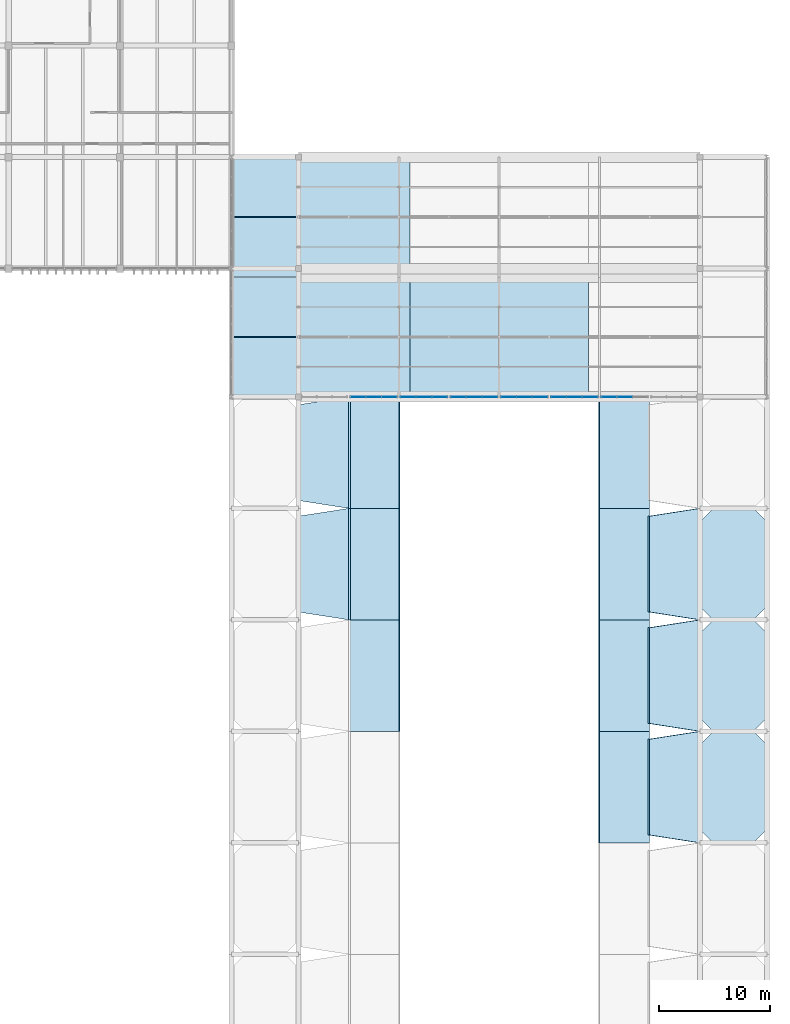
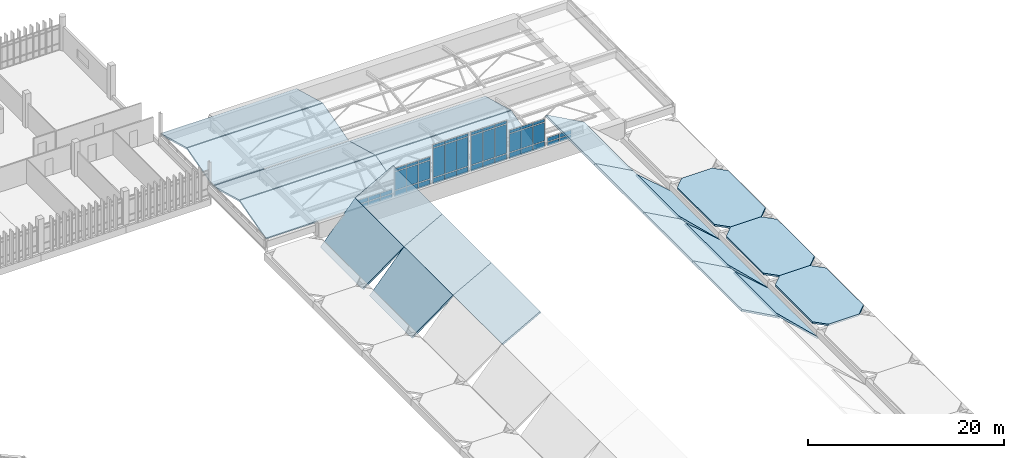
# One storey, part 72 of 82: 46 plates, 21 slabs, 6 elements without a shape of their own.
"""IFC4 building model written with IfcOpenShell, lengths in metres."""

from ifc_helpers import new_model, si_unit, direction, frame, origin, origin_2d, place, context, subcontext, project, spatial, polyline, rectangle, outline, extrude, material, layer, layer_set, type_object, element, aggregate, save


model = new_model("IFC4")

# Units and contexts
model_context = context("Model", 3, precision=1e-05, world=origin(), true_north=direction((0.0, 1.0)))
body_context = subcontext(model_context, "Body", "Model", "MODEL_VIEW")
ifc_project = project(units=[si_unit("LENGTHUNIT", "METRE"), si_unit("AREAUNIT", "SQUARE_METRE"), si_unit("VOLUMEUNIT", "CUBIC_METRE"), si_unit("PLANEANGLEUNIT", "RADIAN"), si_unit("MASSUNIT", "GRAM", prefix="KILO")], contexts=[model_context])

# Site, building, storey
site_placement = place(None, origin())
site = spatial("IfcSite", under=ifc_project, at=site_placement, CompositionType="ELEMENT")
building_placement = place(site_placement, origin())
building = spatial("IfcBuilding", under=site, at=building_placement, Name="Mersad Railyard Sports Hall", CompositionType="ELEMENT")
storey_placement = place(building_placement, frame((0.0, 0.0, 13.199951171875)))
storey = spatial("IfcBuildingStorey", under=building, at=storey_placement, Name="L03", CompositionType="ELEMENT", Elevation=13.199951171875)

# Curtain wall, plates
ifc_material_1 = material(Name="Aluminium 6063-T6", Category="aluminium")
ifc_layer_1 = layer(ifc_material_1, 0.199951171875)
ifc_layer_set_1 = layer_set([ifc_layer_1], Name="Aluminium 6063-T6")
curtain_wall_type_1 = type_object("IfcCurtainWallType", Name="ARC-CW-CW43", PredefinedType="USERDEFINED", material=ifc_layer_set_1)
curtain_wall_1_placement = place(storey_placement, origin())
curtain_wall_1 = element("IfcCurtainWall", 1, at=curtain_wall_1_placement, inside=storey, type_object=curtain_wall_type_1, Name="Curtain wall CW43-0115", ObjectType="CURTAIN WALL", PredefinedType="USERDEFINED")
ifc_material_2 = material(Name="Solar-control glass", Category="glass")
ifc_layer_2 = layer(ifc_material_2, 0.028076171875)
ifc_layer_set_2 = layer_set([ifc_layer_2], Name="Solar-control glass")
plate_type = type_object("IfcPlateType", Name="ARC-CW-PNL01", PredefinedType="CURTAIN_PANEL", material=ifc_layer_set_2)
plate_1_placement = place(storey_placement, frame((142.35009765625, 73.5, 1.43505859375), z_axis=(0.0, 0.0, 1.0), x_axis=(1.0, 0.0, 0.0)))
plate_1 = element("IfcPlate", 2, at=plate_1_placement, type_object=plate_type, Name="CW43 Glazed panel 1-1", PredefinedType="CURTAIN_PANEL", context=body_context, shape_type="SweptSolid", body=[
    extrude(rectangle(XDim=1.35595703125, YDim=0.028076171875, at=origin_2d()), origin(), (0.0, 0.0, 1.0), 0.47607421875),
])
plate_2_placement = place(storey_placement, frame((142.35009765625, 73.5, 2.0009765625), z_axis=(0.0, 0.0, 1.0), x_axis=(1.0, 0.0, 0.0)))
plate_2 = element("IfcPlate", 3, at=plate_2_placement, type_object=plate_type, Name="CW43 Glazed panel 1-2", PredefinedType="CURTAIN_PANEL", context=body_context, shape_type="SweptSolid", body=[
    extrude(rectangle(XDim=1.35595703125, YDim=0.028076171875, at=origin_2d()), origin(), (0.0, 0.0, 1.0), 0.47607421875),
])
plate_3_placement = place(storey_placement, frame((143.75, 73.5, 1.43505859375), z_axis=(0.0, 0.0, 1.0), x_axis=(1.0, 0.0, 0.0)))
plate_3 = element("IfcPlate", 4, at=plate_3_placement, type_object=plate_type, Name="CW43 Glazed panel 2-1", PredefinedType="CURTAIN_PANEL", context=body_context, shape_type="SweptSolid", body=[
    extrude(rectangle(XDim=1.35595703125, YDim=0.028076171875, at=origin_2d()), origin(), (0.0, 0.0, 1.0), 0.47607421875),
])
plate_4_placement = place(storey_placement, frame((143.75, 73.5, 2.0009765625), z_axis=(0.0, 0.0, 1.0), x_axis=(1.0, 0.0, 0.0)))
plate_4 = element("IfcPlate", 5, at=plate_4_placement, type_object=plate_type, Name="CW43 Glazed panel 2-2", PredefinedType="CURTAIN_PANEL", context=body_context, shape_type="SweptSolid", body=[
    extrude(rectangle(XDim=1.35595703125, YDim=0.028076171875, at=origin_2d()), origin(), (0.0, 0.0, 1.0), 0.47607421875),
])
plate_5_placement = place(storey_placement, frame((145.14990234375, 73.5, 1.43505859375), z_axis=(0.0, 0.0, 1.0), x_axis=(1.0, 0.0, 0.0)))
plate_5 = element("IfcPlate", 6, at=plate_5_placement, type_object=plate_type, Name="CW43 Glazed panel 3-1", PredefinedType="CURTAIN_PANEL", context=body_context, shape_type="SweptSolid", body=[
    extrude(rectangle(XDim=1.35595703125, YDim=0.028076171875, at=origin_2d()), origin(), (0.0, 0.0, 1.0), 0.47607421875),
])
plate_6_placement = place(storey_placement, frame((145.14990234375, 73.5, 2.0009765625), z_axis=(0.0, 0.0, 1.0), x_axis=(1.0, 0.0, 0.0)))
plate_6 = element("IfcPlate", 7, at=plate_6_placement, type_object=plate_type, Name="CW43 Glazed panel 3-2", PredefinedType="CURTAIN_PANEL", context=body_context, shape_type="SweptSolid", body=[
    extrude(rectangle(XDim=1.35595703125, YDim=0.028076171875, at=origin_2d()), origin(), (0.0, 0.0, 1.0), 0.47607421875),
])
aggregate(curtain_wall_1, [plate_1, plate_2, plate_3, plate_4, plate_5, plate_6])

ifc_layer_3 = layer(ifc_material_1, 0.199951171875)
ifc_layer_set_3 = layer_set([ifc_layer_3], Name="Aluminium 6063-T6")
curtain_wall_type_2 = type_object("IfcCurtainWallType", Name="ARC-CW-CW45", PredefinedType="USERDEFINED", material=ifc_layer_set_3)
curtain_wall_2_placement = place(storey_placement, origin())
curtain_wall_2 = element("IfcCurtainWall", 8, at=curtain_wall_2_placement, inside=storey, type_object=curtain_wall_type_2, Name="Curtain wall CW45-0117", ObjectType="CURTAIN WALL", PredefinedType="USERDEFINED")
plate_7_placement = place(storey_placement, frame((146.85009765625, 73.5, 1.43505859375), z_axis=(0.0, 0.0, 1.0), x_axis=(1.0, 0.0, 0.0)))
plate_7 = element("IfcPlate", 9, at=plate_7_placement, type_object=plate_type, Name="CW45 Glazed panel 1-1", PredefinedType="CURTAIN_PANEL", context=body_context, shape_type="SweptSolid", body=[
    extrude(rectangle(XDim=1.35595703125, YDim=0.028076171875, at=origin_2d()), origin(), (0.0, 0.0, 1.0), 0.719970703125),
])
plate_8_placement = place(storey_placement, frame((146.85009765625, 73.5, 2.2451171875), z_axis=(0.0, 0.0, 1.0), x_axis=(1.0, 0.0, 0.0)))
plate_8 = element("IfcPlate", 10, at=plate_8_placement, type_object=plate_type, Name="CW45 Glazed panel 1-2", PredefinedType="CURTAIN_PANEL", context=body_context, shape_type="SweptSolid", body=[
    extrude(rectangle(XDim=1.35595703125, YDim=0.028076171875, at=origin_2d()), origin(), (0.0, 0.0, 1.0), 2.26708984375),
])
plate_9_placement = place(storey_placement, frame((146.85009765625, 73.5, 4.60205078125), z_axis=(0.0, 0.0, 1.0), x_axis=(1.0, 0.0, 0.0)))
plate_9 = element("IfcPlate", 11, at=plate_9_placement, type_object=plate_type, Name="CW45 Glazed panel 1-3", PredefinedType="CURTAIN_PANEL", context=body_context, shape_type="SweptSolid", body=[
    extrude(rectangle(XDim=1.35595703125, YDim=0.028076171875, at=origin_2d()), origin(), (0.0, 0.0, 1.0), 0.35009765625),
])
plate_10_placement = place(storey_placement, frame((148.25, 73.5, 1.43505859375), z_axis=(0.0, 0.0, 1.0), x_axis=(1.0, 0.0, 0.0)))
plate_10 = element("IfcPlate", 12, at=plate_10_placement, type_object=plate_type, Name="CW45 Glazed panel 2-1", PredefinedType="CURTAIN_PANEL", context=body_context, shape_type="SweptSolid", body=[
    extrude(rectangle(XDim=1.35595703125, YDim=0.028076171875, at=origin_2d()), origin(), (0.0, 0.0, 1.0), 0.719970703125),
])
plate_11_placement = place(storey_placement, frame((148.25, 73.5, 2.2451171875), z_axis=(0.0, 0.0, 1.0), x_axis=(1.0, 0.0, 0.0)))
plate_11 = element("IfcPlate", 13, at=plate_11_placement, type_object=plate_type, Name="CW45 Glazed panel 2-2", PredefinedType="CURTAIN_PANEL", context=body_context, shape_type="SweptSolid", body=[
    extrude(rectangle(XDim=1.35595703125, YDim=0.028076171875, at=origin_2d()), origin(), (0.0, 0.0, 1.0), 2.26708984375),
])
plate_12_placement = place(storey_placement, frame((148.25, 73.5, 4.60205078125), z_axis=(0.0, 0.0, 1.0), x_axis=(1.0, 0.0, 0.0)))
plate_12 = element("IfcPlate", 14, at=plate_12_placement, type_object=plate_type, Name="CW45 Glazed panel 2-3", PredefinedType="CURTAIN_PANEL", context=body_context, shape_type="SweptSolid", body=[
    extrude(rectangle(XDim=1.35595703125, YDim=0.028076171875, at=origin_2d()), origin(), (0.0, 0.0, 1.0), 0.35009765625),
])
plate_13_placement = place(storey_placement, frame((149.64990234375, 73.5, 1.43505859375), z_axis=(0.0, 0.0, 1.0), x_axis=(1.0, 0.0, 0.0)))
plate_13 = element("IfcPlate", 15, at=plate_13_placement, type_object=plate_type, Name="CW45 Glazed panel 3-1", PredefinedType="CURTAIN_PANEL", context=body_context, shape_type="SweptSolid", body=[
    extrude(rectangle(XDim=1.35595703125, YDim=0.028076171875, at=origin_2d()), origin(), (0.0, 0.0, 1.0), 0.719970703125),
])
plate_14_placement = place(storey_placement, frame((149.64990234375, 73.5, 2.2451171875), z_axis=(0.0, 0.0, 1.0), x_axis=(1.0, 0.0, 0.0)))
plate_14 = element("IfcPlate", 16, at=plate_14_placement, type_object=plate_type, Name="CW45 Glazed panel 3-2", PredefinedType="CURTAIN_PANEL", context=body_context, shape_type="SweptSolid", body=[
    extrude(rectangle(XDim=1.35595703125, YDim=0.028076171875, at=origin_2d()), origin(), (0.0, 0.0, 1.0), 2.26708984375),
])
plate_15_placement = place(storey_placement, frame((149.64990234375, 73.5, 4.60205078125), z_axis=(0.0, 0.0, 1.0), x_axis=(1.0, 0.0, 0.0)))
plate_15 = element("IfcPlate", 17, at=plate_15_placement, type_object=plate_type, Name="CW45 Glazed panel 3-3", PredefinedType="CURTAIN_PANEL", context=body_context, shape_type="SweptSolid", body=[
    extrude(rectangle(XDim=1.35595703125, YDim=0.028076171875, at=origin_2d()), origin(), (0.0, 0.0, 1.0), 0.35009765625),
])
aggregate(curtain_wall_2, [plate_7, plate_8, plate_9, plate_10, plate_11, plate_12, plate_13, plate_14, plate_15])

ifc_layer_4 = layer(ifc_material_1, 0.199951171875)
ifc_layer_set_4 = layer_set([ifc_layer_4], Name="Aluminium 6063-T6")
curtain_wall_type_3 = type_object("IfcCurtainWallType", Name="ARC-CW-CW47", PredefinedType="USERDEFINED", material=ifc_layer_set_4)
curtain_wall_3_placement = place(storey_placement, origin())
curtain_wall_3 = element("IfcCurtainWall", 18, at=curtain_wall_3_placement, inside=storey, type_object=curtain_wall_type_3, Name="Curtain wall CW47-0119", ObjectType="CURTAIN WALL", PredefinedType="USERDEFINED")
plate_16_placement = place(storey_placement, frame((151.35009765625, 73.5, 1.43505859375), z_axis=(0.0, 0.0, 1.0), x_axis=(1.0, 0.0, 0.0)))
plate_16 = element("IfcPlate", 19, at=plate_16_placement, type_object=plate_type, Name="CW47 Glazed panel 1-1", PredefinedType="CURTAIN_PANEL", context=body_context, shape_type="SweptSolid", body=[
    extrude(rectangle(XDim=1.35595703125, YDim=0.028076171875, at=origin_2d()), origin(), (0.0, 0.0, 1.0), 0.719970703125),
])
plate_17_placement = place(storey_placement, frame((151.35009765625, 73.5, 2.2451171875), z_axis=(0.0, 0.0, 1.0), x_axis=(1.0, 0.0, 0.0)))
plate_17 = element("IfcPlate", 20, at=plate_17_placement, type_object=plate_type, Name="CW47 Glazed panel 1-2", PredefinedType="CURTAIN_PANEL", context=body_context, shape_type="SweptSolid", body=[
    extrude(rectangle(XDim=1.35595703125, YDim=0.028076171875, at=origin_2d()), origin(), (0.0, 0.0, 1.0), 3.625),
])
plate_18_placement = place(storey_placement, frame((151.35009765625, 73.5, 5.9599609375), z_axis=(0.0, 0.0, 1.0), x_axis=(1.0, 0.0, 0.0)))
plate_18 = element("IfcPlate", 21, at=plate_18_placement, type_object=plate_type, Name="CW47 Glazed panel 1-3", PredefinedType="CURTAIN_PANEL", context=body_context, shape_type="SweptSolid", body=[
    extrude(rectangle(XDim=1.35595703125, YDim=0.028076171875, at=origin_2d()), origin(), (0.0, 0.0, 1.0), 0.35009765625),
])
plate_19_placement = place(storey_placement, frame((152.75, 73.5, 1.43505859375), z_axis=(0.0, 0.0, 1.0), x_axis=(1.0, 0.0, 0.0)))
plate_19 = element("IfcPlate", 22, at=plate_19_placement, type_object=plate_type, Name="CW47 Glazed panel 2-1", PredefinedType="CURTAIN_PANEL", context=body_context, shape_type="SweptSolid", body=[
    extrude(rectangle(XDim=1.35595703125, YDim=0.028076171875, at=origin_2d()), origin(), (0.0, 0.0, 1.0), 0.719970703125),
])
plate_20_placement = place(storey_placement, frame((152.75, 73.5, 2.2451171875), z_axis=(0.0, 0.0, 1.0), x_axis=(1.0, 0.0, 0.0)))
plate_20 = element("IfcPlate", 23, at=plate_20_placement, type_object=plate_type, Name="CW47 Glazed panel 2-2", PredefinedType="CURTAIN_PANEL", context=body_context, shape_type="SweptSolid", body=[
    extrude(rectangle(XDim=1.35595703125, YDim=0.028076171875, at=origin_2d()), origin(), (0.0, 0.0, 1.0), 3.625),
])
plate_21_placement = place(storey_placement, frame((152.75, 73.5, 5.9599609375), z_axis=(0.0, 0.0, 1.0), x_axis=(1.0, 0.0, 0.0)))
plate_21 = element("IfcPlate", 24, at=plate_21_placement, type_object=plate_type, Name="CW47 Glazed panel 2-3", PredefinedType="CURTAIN_PANEL", context=body_context, shape_type="SweptSolid", body=[
    extrude(rectangle(XDim=1.35595703125, YDim=0.028076171875, at=origin_2d()), origin(), (0.0, 0.0, 1.0), 0.35009765625),
])
plate_22_placement = place(storey_placement, frame((154.14990234375, 73.5, 1.43505859375), z_axis=(0.0, 0.0, 1.0), x_axis=(1.0, 0.0, 0.0)))
plate_22 = element("IfcPlate", 25, at=plate_22_placement, type_object=plate_type, Name="CW47 Glazed panel 3-1", PredefinedType="CURTAIN_PANEL", context=body_context, shape_type="SweptSolid", body=[
    extrude(rectangle(XDim=1.35595703125, YDim=0.028076171875, at=origin_2d()), origin(), (0.0, 0.0, 1.0), 0.719970703125),
])
plate_23_placement = place(storey_placement, frame((154.14990234375, 73.5, 2.2451171875), z_axis=(0.0, 0.0, 1.0), x_axis=(1.0, 0.0, 0.0)))
plate_23 = element("IfcPlate", 26, at=plate_23_placement, type_object=plate_type, Name="CW47 Glazed panel 3-2", PredefinedType="CURTAIN_PANEL", context=body_context, shape_type="SweptSolid", body=[
    extrude(rectangle(XDim=1.35595703125, YDim=0.028076171875, at=origin_2d()), origin(), (0.0, 0.0, 1.0), 3.625),
])
plate_24_placement = place(storey_placement, frame((154.14990234375, 73.5, 5.9599609375), z_axis=(0.0, 0.0, 1.0), x_axis=(1.0, 0.0, 0.0)))
plate_24 = element("IfcPlate", 27, at=plate_24_placement, type_object=plate_type, Name="CW47 Glazed panel 3-3", PredefinedType="CURTAIN_PANEL", context=body_context, shape_type="SweptSolid", body=[
    extrude(rectangle(XDim=1.35595703125, YDim=0.028076171875, at=origin_2d()), origin(), (0.0, 0.0, 1.0), 0.35009765625),
])
aggregate(curtain_wall_3, [plate_16, plate_17, plate_18, plate_19, plate_20, plate_21, plate_22, plate_23, plate_24])

curtain_wall_4_placement = place(storey_placement, origin())
curtain_wall_4 = element("IfcCurtainWall", 28, at=curtain_wall_4_placement, inside=storey, type_object=curtain_wall_type_3, Name="Curtain wall CW47-0121", ObjectType="CURTAIN WALL", PredefinedType="USERDEFINED")
plate_25_placement = place(storey_placement, frame((155.85009765625, 73.5, 1.43505859375), z_axis=(0.0, 0.0, 1.0), x_axis=(1.0, 0.0, 0.0)))
plate_25 = element("IfcPlate", 29, at=plate_25_placement, type_object=plate_type, Name="CW47 Glazed panel 1-1", PredefinedType="CURTAIN_PANEL", context=body_context, shape_type="SweptSolid", body=[
    extrude(rectangle(XDim=1.35595703125, YDim=0.028076171875, at=origin_2d()), origin(), (0.0, 0.0, 1.0), 0.719970703125),
])
plate_26_placement = place(storey_placement, frame((155.85009765625, 73.5, 2.2451171875), z_axis=(0.0, 0.0, 1.0), x_axis=(1.0, 0.0, 0.0)))
plate_26 = element("IfcPlate", 30, at=plate_26_placement, type_object=plate_type, Name="CW47 Glazed panel 1-2", PredefinedType="CURTAIN_PANEL", context=body_context, shape_type="SweptSolid", body=[
    extrude(rectangle(XDim=1.35595703125, YDim=0.028076171875, at=origin_2d()), origin(), (0.0, 0.0, 1.0), 3.625),
])
plate_27_placement = place(storey_placement, frame((155.85009765625, 73.5, 5.9599609375), z_axis=(0.0, 0.0, 1.0), x_axis=(1.0, 0.0, 0.0)))
plate_27 = element("IfcPlate", 31, at=plate_27_placement, type_object=plate_type, Name="CW47 Glazed panel 1-3", PredefinedType="CURTAIN_PANEL", context=body_context, shape_type="SweptSolid", body=[
    extrude(rectangle(XDim=1.35595703125, YDim=0.028076171875, at=origin_2d()), origin(), (0.0, 0.0, 1.0), 0.35009765625),
])
plate_28_placement = place(storey_placement, frame((157.25, 73.5, 1.43505859375), z_axis=(0.0, 0.0, 1.0), x_axis=(1.0, 0.0, 0.0)))
plate_28 = element("IfcPlate", 32, at=plate_28_placement, type_object=plate_type, Name="CW47 Glazed panel 2-1", PredefinedType="CURTAIN_PANEL", context=body_context, shape_type="SweptSolid", body=[
    extrude(rectangle(XDim=1.35595703125, YDim=0.028076171875, at=origin_2d()), origin(), (0.0, 0.0, 1.0), 0.719970703125),
])
plate_29_placement = place(storey_placement, frame((157.25, 73.5, 2.2451171875), z_axis=(0.0, 0.0, 1.0), x_axis=(1.0, 0.0, 0.0)))
plate_29 = element("IfcPlate", 33, at=plate_29_placement, type_object=plate_type, Name="CW47 Glazed panel 2-2", PredefinedType="CURTAIN_PANEL", context=body_context, shape_type="SweptSolid", body=[
    extrude(rectangle(XDim=1.35595703125, YDim=0.028076171875, at=origin_2d()), origin(), (0.0, 0.0, 1.0), 3.625),
])
plate_30_placement = place(storey_placement, frame((157.25, 73.5, 5.9599609375), z_axis=(0.0, 0.0, 1.0), x_axis=(1.0, 0.0, 0.0)))
plate_30 = element("IfcPlate", 34, at=plate_30_placement, type_object=plate_type, Name="CW47 Glazed panel 2-3", PredefinedType="CURTAIN_PANEL", context=body_context, shape_type="SweptSolid", body=[
    extrude(rectangle(XDim=1.35595703125, YDim=0.028076171875, at=origin_2d()), origin(), (0.0, 0.0, 1.0), 0.35009765625),
])
plate_31_placement = place(storey_placement, frame((158.64990234375, 73.5, 1.43505859375), z_axis=(0.0, 0.0, 1.0), x_axis=(1.0, 0.0, 0.0)))
plate_31 = element("IfcPlate", 35, at=plate_31_placement, type_object=plate_type, Name="CW47 Glazed panel 3-1", PredefinedType="CURTAIN_PANEL", context=body_context, shape_type="SweptSolid", body=[
    extrude(rectangle(XDim=1.35595703125, YDim=0.028076171875, at=origin_2d()), origin(), (0.0, 0.0, 1.0), 0.719970703125),
])
plate_32_placement = place(storey_placement, frame((158.64990234375, 73.5, 2.2451171875), z_axis=(0.0, 0.0, 1.0), x_axis=(1.0, 0.0, 0.0)))
plate_32 = element("IfcPlate", 36, at=plate_32_placement, type_object=plate_type, Name="CW47 Glazed panel 3-2", PredefinedType="CURTAIN_PANEL", context=body_context, shape_type="SweptSolid", body=[
    extrude(rectangle(XDim=1.35595703125, YDim=0.028076171875, at=origin_2d()), origin(), (0.0, 0.0, 1.0), 3.625),
])
plate_33_placement = place(storey_placement, frame((158.64990234375, 73.5, 5.9599609375), z_axis=(0.0, 0.0, 1.0), x_axis=(1.0, 0.0, 0.0)))
plate_33 = element("IfcPlate", 37, at=plate_33_placement, type_object=plate_type, Name="CW47 Glazed panel 3-3", PredefinedType="CURTAIN_PANEL", context=body_context, shape_type="SweptSolid", body=[
    extrude(rectangle(XDim=1.35595703125, YDim=0.028076171875, at=origin_2d()), origin(), (0.0, 0.0, 1.0), 0.35009765625),
])
aggregate(curtain_wall_4, [plate_25, plate_26, plate_27, plate_28, plate_29, plate_30, plate_31, plate_32, plate_33])

curtain_wall_5_placement = place(storey_placement, origin())
curtain_wall_5 = element("IfcCurtainWall", 38, at=curtain_wall_5_placement, inside=storey, type_object=curtain_wall_type_2, Name="Curtain wall CW45-0123", ObjectType="CURTAIN WALL", PredefinedType="USERDEFINED")
plate_34_placement = place(storey_placement, frame((160.35009765625, 73.5, 1.43505859375), z_axis=(0.0, 0.0, 1.0), x_axis=(1.0, 0.0, 0.0)))
plate_34 = element("IfcPlate", 39, at=plate_34_placement, type_object=plate_type, Name="CW45 Glazed panel 1-1", PredefinedType="CURTAIN_PANEL", context=body_context, shape_type="SweptSolid", body=[
    extrude(rectangle(XDim=1.35595703125, YDim=0.028076171875, at=origin_2d()), origin(), (0.0, 0.0, 1.0), 0.719970703125),
])
plate_35_placement = place(storey_placement, frame((160.35009765625, 73.5, 2.2451171875), z_axis=(0.0, 0.0, 1.0), x_axis=(1.0, 0.0, 0.0)))
plate_35 = element("IfcPlate", 40, at=plate_35_placement, type_object=plate_type, Name="CW45 Glazed panel 1-2", PredefinedType="CURTAIN_PANEL", context=body_context, shape_type="SweptSolid", body=[
    extrude(rectangle(XDim=1.35595703125, YDim=0.028076171875, at=origin_2d()), origin(), (0.0, 0.0, 1.0), 2.26708984375),
])
plate_36_placement = place(storey_placement, frame((160.35009765625, 73.5, 4.60205078125), z_axis=(0.0, 0.0, 1.0), x_axis=(1.0, 0.0, 0.0)))
plate_36 = element("IfcPlate", 41, at=plate_36_placement, type_object=plate_type, Name="CW45 Glazed panel 1-3", PredefinedType="CURTAIN_PANEL", context=body_context, shape_type="SweptSolid", body=[
    extrude(rectangle(XDim=1.35595703125, YDim=0.028076171875, at=origin_2d()), origin(), (0.0, 0.0, 1.0), 0.35009765625),
])
plate_37_placement = place(storey_placement, frame((161.75, 73.5, 1.43505859375), z_axis=(0.0, 0.0, 1.0), x_axis=(1.0, 0.0, 0.0)))
plate_37 = element("IfcPlate", 42, at=plate_37_placement, type_object=plate_type, Name="CW45 Glazed panel 2-1", PredefinedType="CURTAIN_PANEL", context=body_context, shape_type="SweptSolid", body=[
    extrude(rectangle(XDim=1.35595703125, YDim=0.028076171875, at=origin_2d()), origin(), (0.0, 0.0, 1.0), 0.719970703125),
])
plate_38_placement = place(storey_placement, frame((161.75, 73.5, 2.2451171875), z_axis=(0.0, 0.0, 1.0), x_axis=(1.0, 0.0, 0.0)))
plate_38 = element("IfcPlate", 43, at=plate_38_placement, type_object=plate_type, Name="CW45 Glazed panel 2-2", PredefinedType="CURTAIN_PANEL", context=body_context, shape_type="SweptSolid", body=[
    extrude(rectangle(XDim=1.35595703125, YDim=0.028076171875, at=origin_2d()), origin(), (0.0, 0.0, 1.0), 2.26708984375),
])
plate_39_placement = place(storey_placement, frame((161.75, 73.5, 4.60205078125), z_axis=(0.0, 0.0, 1.0), x_axis=(1.0, 0.0, 0.0)))
plate_39 = element("IfcPlate", 44, at=plate_39_placement, type_object=plate_type, Name="CW45 Glazed panel 2-3", PredefinedType="CURTAIN_PANEL", context=body_context, shape_type="SweptSolid", body=[
    extrude(rectangle(XDim=1.35595703125, YDim=0.028076171875, at=origin_2d()), origin(), (0.0, 0.0, 1.0), 0.35009765625),
])
plate_40_placement = place(storey_placement, frame((163.14990234375, 73.5, 1.43505859375), z_axis=(0.0, 0.0, 1.0), x_axis=(1.0, 0.0, 0.0)))
plate_40 = element("IfcPlate", 45, at=plate_40_placement, type_object=plate_type, Name="CW45 Glazed panel 3-1", PredefinedType="CURTAIN_PANEL", context=body_context, shape_type="SweptSolid", body=[
    extrude(rectangle(XDim=1.35595703125, YDim=0.028076171875, at=origin_2d()), origin(), (0.0, 0.0, 1.0), 0.719970703125),
])
plate_41_placement = place(storey_placement, frame((163.14990234375, 73.5, 2.2451171875), z_axis=(0.0, 0.0, 1.0), x_axis=(1.0, 0.0, 0.0)))
plate_41 = element("IfcPlate", 46, at=plate_41_placement, type_object=plate_type, Name="CW45 Glazed panel 3-2", PredefinedType="CURTAIN_PANEL", context=body_context, shape_type="SweptSolid", body=[
    extrude(rectangle(XDim=1.35595703125, YDim=0.028076171875, at=origin_2d()), origin(), (0.0, 0.0, 1.0), 2.26708984375),
])
plate_42_placement = place(storey_placement, frame((163.14990234375, 73.5, 4.60205078125), z_axis=(0.0, 0.0, 1.0), x_axis=(1.0, 0.0, 0.0)))
plate_42 = element("IfcPlate", 47, at=plate_42_placement, type_object=plate_type, Name="CW45 Glazed panel 3-3", PredefinedType="CURTAIN_PANEL", context=body_context, shape_type="SweptSolid", body=[
    extrude(rectangle(XDim=1.35595703125, YDim=0.028076171875, at=origin_2d()), origin(), (0.0, 0.0, 1.0), 0.35009765625),
])
aggregate(curtain_wall_5, [plate_34, plate_35, plate_36, plate_37, plate_38, plate_39, plate_40, plate_41, plate_42])

curtain_wall_6_placement = place(storey_placement, origin())
curtain_wall_6 = element("IfcCurtainWall", 48, at=curtain_wall_6_placement, inside=storey, type_object=curtain_wall_type_1, Name="Curtain wall CW43-0125", ObjectType="CURTAIN WALL", PredefinedType="USERDEFINED")
plate_43_placement = place(storey_placement, frame((164.85009765625, 73.5, 1.43505859375), z_axis=(0.0, 0.0, 1.0), x_axis=(1.0, 0.0, 0.0)))
plate_43 = element("IfcPlate", 49, at=plate_43_placement, type_object=plate_type, Name="CW43 Glazed panel 1-1", PredefinedType="CURTAIN_PANEL", context=body_context, shape_type="SweptSolid", body=[
    extrude(rectangle(XDim=1.35595703125, YDim=0.028076171875, at=origin_2d()), origin(), (0.0, 0.0, 1.0), 0.47607421875),
])
plate_44_placement = place(storey_placement, frame((164.85009765625, 73.5, 2.0009765625), z_axis=(0.0, 0.0, 1.0), x_axis=(1.0, 0.0, 0.0)))
plate_44 = element("IfcPlate", 50, at=plate_44_placement, type_object=plate_type, Name="CW43 Glazed panel 1-2", PredefinedType="CURTAIN_PANEL", context=body_context, shape_type="SweptSolid", body=[
    extrude(rectangle(XDim=1.35595703125, YDim=0.028076171875, at=origin_2d()), origin(), (0.0, 0.0, 1.0), 0.47607421875),
])
plate_45_placement = place(storey_placement, frame((166.25, 73.5, 1.43505859375), z_axis=(0.0, 0.0, 1.0), x_axis=(1.0, 0.0, 0.0)))
plate_45 = element("IfcPlate", 51, at=plate_45_placement, type_object=plate_type, Name="CW43 Glazed panel 2-1", PredefinedType="CURTAIN_PANEL", context=body_context, shape_type="SweptSolid", body=[
    extrude(rectangle(XDim=1.35595703125, YDim=0.028076171875, at=origin_2d()), origin(), (0.0, 0.0, 1.0), 0.47607421875),
])
plate_46_placement = place(storey_placement, frame((166.25, 73.5, 2.0009765625), z_axis=(0.0, 0.0, 1.0), x_axis=(1.0, 0.0, 0.0)))
plate_46 = element("IfcPlate", 52, at=plate_46_placement, type_object=plate_type, Name="CW43 Glazed panel 2-2", PredefinedType="CURTAIN_PANEL", context=body_context, shape_type="SweptSolid", body=[
    extrude(rectangle(XDim=1.35595703125, YDim=0.028076171875, at=origin_2d()), origin(), (0.0, 0.0, 1.0), 0.47607421875),
])
aggregate(curtain_wall_6, [plate_43, plate_44, plate_45, plate_46])

# Slabs
ifc_material_3 = material(Name="Architectural concrete C50/60", Category="concrete")
ifc_layer_5 = layer(ifc_material_3, 0.219970703125)
ifc_layer_set_5 = layer_set([ifc_layer_5], Name="Architectural concrete C50/60")
slab_type_1 = type_object("IfcSlabType", Name="STR-SL-RF01", PredefinedType="ROOF", material=ifc_layer_set_5)
slab_1_placement = place(storey_placement, frame((0.0, 0.0, -0.219970703125)))
element("IfcSlab", 53, at=slab_1_placement, inside=storey, type_object=slab_type_1, Name="Slab RS01-0106", PredefinedType="ROOF", context=body_context, shape_type="SweptSolid", body=[
    extrude(outline(polyline([(174.199951171875, 33.5), (177.800048828125, 33.5), (179.0, 34.699951171875), (179.0, 42.300048828125), (177.800048828125, 43.5), (174.199951171875, 43.5), (173.0, 42.300048828125), (173.0, 34.699951171875), (174.199951171875, 33.5)])), origin(), (0.0, 0.0, 1.0), 0.219970703125),
])
slab_2_placement = place(storey_placement, frame((0.0, 0.0, -0.219970703125)))
element("IfcSlab", 54, at=slab_2_placement, inside=storey, type_object=slab_type_1, Name="Slab RS01-0108", PredefinedType="ROOF", context=body_context, shape_type="SweptSolid", body=[
    extrude(outline(polyline([(174.199951171875, 43.5), (177.800048828125, 43.5), (179.0, 44.699951171875), (179.0, 52.300048828125), (177.800048828125, 53.5), (174.199951171875, 53.5), (173.0, 52.300048828125), (173.0, 44.699951171875), (174.199951171875, 43.5)])), origin(), (0.0, 0.0, 1.0), 0.219970703125),
])
slab_3_placement = place(storey_placement, frame((0.0, 0.0, -0.219970703125)))
element("IfcSlab", 55, at=slab_3_placement, inside=storey, type_object=slab_type_1, Name="Slab RS01-0110", PredefinedType="ROOF", context=body_context, shape_type="SweptSolid", body=[
    extrude(outline(polyline([(174.199951171875, 53.5), (177.800048828125, 53.5), (179.0, 54.699951171875), (179.0, 62.300048828125), (177.800048828125, 63.5), (174.199951171875, 63.5), (173.0, 62.300048828125), (173.0, 54.699951171875), (174.199951171875, 53.5)])), origin(), (0.0, 0.0, 1.0), 0.219970703125),
])
slab_4_placement = place(storey_placement, frame((164.0, 33.5, 5.4072265625), z_axis=(0.48189685093, 0.0, 0.876227952683), x_axis=(0.876227952683, 0.0, -0.48189685093)))
element("IfcSlab", 56, at=slab_4_placement, inside=storey, type_object=slab_type_1, Name="Barrel vault shell slab bay 4 seg 7", PredefinedType="ROOF", context=body_context, shape_type="SweptSolid", body=[
    extrude(outline(polyline([(0.0, 0.0), (5.135649902768044, 0.0), (5.135649902768044, 10.0), (0.0, 10.0), (0.0, 0.0)])), origin(), (0.0, 0.0, -1.0), 0.219970703125),
])
slab_5_placement = place(storey_placement, frame((168.5, 34.199951171875, 2.932373046875), z_axis=(0.676375800425, 0.0, 0.736556702909), x_axis=(0.731769859569, -0.113822926833, -0.671980069611)))
element("IfcSlab", 57, at=slab_5_placement, inside=storey, type_object=slab_type_1, Name="Barrel vault shell slab bay 4 seg 8", PredefinedType="ROOF", context=body_context, shape_type="SweptSolid", body=[
    extrude(outline(polyline([(0.0, 0.0), (6.1494743752516765, -5.551115123125783e-17), (5.0112451069227815, 9.935010525043218), (-0.9788882862830478, 8.544206073124325), (0.0, 0.0)])), origin(), (0.0, 0.0, -1.0), 0.219970703125),
])
for number, where, z_axis, x_axis, name in (
    (58, (141.5, 43.5, 2.932373046875), (-0.48189685093, 0.0, 0.876227952683), (0.876227952683, 0.0, 0.48189685093), "Barrel vault shell slab bay 5 seg 2"),
    (59, (164.0, 43.5, 5.4072265625), (0.48189685093, 0.0, 0.876227952683), (0.876227952683, 0.0, -0.48189685093), "Barrel vault shell slab bay 5 seg 7"),
):
    element("IfcSlab", number, at=place(storey_placement, frame(where, z_axis=z_axis, x_axis=x_axis)), inside=storey, type_object=slab_type_1, Name=name, PredefinedType="ROOF", context=body_context, shape_type="SweptSolid", body=[
        extrude(outline(polyline([(0.0, 0.0), (5.135649902768044, 0.0), (5.135649902768044, 10.0), (0.0, 10.0), (0.0, 0.0)])), origin(), (0.0, 0.0, -1.0), 0.219970703125),
    ])
for number, where, z_axis, x_axis, name in (
    (60, (168.5, 44.199951171875, 2.932373046875), (0.676375800425, 0.0, 0.736556702909), (0.731769859569, -0.113822926833, -0.671980069611), "Barrel vault shell slab bay 5 seg 8"),
    (61, (137.0, 54.199951171875, -1.199951171875), (-0.676375800425, 0.0, 0.736556702909), (0.731769859569, -0.113822926833, 0.671980069611), "Barrel vault shell slab bay 6 seg 1"),
):
    element("IfcSlab", number, at=place(storey_placement, frame(where, z_axis=z_axis, x_axis=x_axis)), inside=storey, type_object=slab_type_1, Name=name, PredefinedType="ROOF", context=body_context, shape_type="SweptSolid", body=[
        extrude(outline(polyline([(0.0, 0.0), (6.1494743752516765, -5.551115123125783e-17), (5.0112451069227815, 9.935010525043218), (-0.9788882862830478, 8.544206073124325), (0.0, 0.0)])), origin(), (0.0, 0.0, -1.0), 0.219970703125),
    ])
for number, where, z_axis, x_axis, name in (
    (62, (141.5, 53.5, 2.932373046875), (-0.48189685093, 0.0, 0.876227952683), (0.876227952683, 0.0, 0.48189685093), "Barrel vault shell slab bay 6 seg 2"),
    (63, (164.0, 53.5, 5.4072265625), (0.48189685093, 0.0, 0.876227952683), (0.876227952683, 0.0, -0.48189685093), "Barrel vault shell slab bay 6 seg 7"),
):
    element("IfcSlab", number, at=place(storey_placement, frame(where, z_axis=z_axis, x_axis=x_axis)), inside=storey, type_object=slab_type_1, Name=name, PredefinedType="ROOF", context=body_context, shape_type="SweptSolid", body=[
        extrude(outline(polyline([(0.0, 0.0), (5.135649902768044, 0.0), (5.135649902768044, 10.0), (0.0, 10.0), (0.0, 0.0)])), origin(), (0.0, 0.0, -1.0), 0.219970703125),
    ])
for number, where, z_axis, x_axis, name in (
    (64, (168.5, 54.199951171875, 2.932373046875), (0.676375800425, 0.0, 0.736556702909), (0.731769859569, -0.113822926833, -0.671980069611), "Barrel vault shell slab bay 6 seg 8"),
    (65, (137.0, 64.199951171875, -1.199951171875), (-0.676375800425, 0.0, 0.736556702909), (0.731769859569, -0.113822926833, 0.671980069611), "Barrel vault shell slab bay 7 seg 1"),
):
    element("IfcSlab", number, at=place(storey_placement, frame(where, z_axis=z_axis, x_axis=x_axis)), inside=storey, type_object=slab_type_1, Name=name, PredefinedType="ROOF", context=body_context, shape_type="SweptSolid", body=[
        extrude(outline(polyline([(0.0, 0.0), (6.1494743752516765, -5.551115123125783e-17), (5.0112451069227815, 9.935010525043218), (-0.9788882862830478, 8.544206073124325), (0.0, 0.0)])), origin(), (0.0, 0.0, -1.0), 0.219970703125),
    ])
for number, where, z_axis, x_axis, name in (
    (66, (141.5, 63.5, 2.932373046875), (-0.48189685093, 0.0, 0.876227952683), (0.876227952683, 0.0, 0.48189685093), "Barrel vault shell slab bay 7 seg 2"),
    (67, (164.0, 63.5, 5.4072265625), (0.48189685093, 0.0, 0.876227952683), (0.876227952683, 0.0, -0.48189685093), "Barrel vault shell slab bay 7 seg 7"),
):
    element("IfcSlab", number, at=place(storey_placement, frame(where, z_axis=z_axis, x_axis=x_axis)), inside=storey, type_object=slab_type_1, Name=name, PredefinedType="ROOF", context=body_context, shape_type="SweptSolid", body=[
        extrude(outline(polyline([(0.0, 0.0), (5.135649902768044, 0.0), (5.135649902768044, 10.0), (0.0, 10.0), (0.0, 0.0)])), origin(), (0.0, 0.0, -1.0), 0.219970703125),
    ])
ifc_material_4 = material(Name="Architectural concrete C40/50", Category="concrete")
ifc_layer_6 = layer(ifc_material_4, 0.199951171875)
ifc_layer_set_6 = layer_set([ifc_layer_6], Name="Architectural concrete C40/50")
slab_type_2 = type_object("IfcSlabType", Name="STR-SL-RF02", PredefinedType="ROOF", material=ifc_layer_set_6)
slab_6_placement = place(storey_placement, frame((131.0, 73.5, 1.60009765625), z_axis=(0.0, -0.264036044726, 0.964512813334), x_axis=(1.0, 0.0, 0.0)))
element("IfcSlab", 68, at=slab_6_placement, inside=storey, type_object=slab_type_2, Name="Climbing hall folded shell roof F1A", PredefinedType="ROOF", context=body_context, shape_type="SweptSolid", body=[
    extrude(outline(polyline([(0.0, 0.0), (16.0, 0.0), (16.0, 5.531249418096996), (0.0, 5.531249418096996), (0.0, 0.0)])), origin(), (0.0, 0.0, -1.0), 0.199951171875),
])
slab_7_placement = place(storey_placement, frame((131.0, 78.9150390625, 3.060546875), z_axis=(0.0, 0.265891965554, 0.964002833323), x_axis=(1.0, 0.0, 0.0)))
element("IfcSlab", 69, at=slab_7_placement, inside=storey, type_object=slab_type_2, Name="Climbing hall folded shell roof F1B", PredefinedType="ROOF", context=body_context, shape_type="SweptSolid", body=[
    extrude(outline(polyline([(0.0, 0.0), (16.0, 0.0), (16.0, 5.492641403086588), (0.0, 5.492641403086588), (0.0, 0.0)])), origin(), (0.0, 0.0, -1.0), 0.199951171875),
])
slab_8_placement = place(storey_placement, frame((147.0, 73.5, 1.60009765625), z_axis=(0.0, -0.264036044726, 0.964512813334), x_axis=(1.0, 0.0, 0.0)))
element("IfcSlab", 70, at=slab_8_placement, inside=storey, type_object=slab_type_2, Name="Climbing hall folded shell roof F1A", PredefinedType="ROOF", context=body_context, shape_type="SweptSolid", body=[
    extrude(outline(polyline([(0.0, 0.0), (16.0, 0.0), (16.0, 5.531249418096996), (0.0, 5.531249418096996), (0.0, 0.0)])), origin(), (0.0, 0.0, -1.0), 0.199951171875),
])
for number, where, z_axis, x_axis, name in (
    (71, (147.0, 78.9150390625, 3.060546875), (0.0, 0.265891965554, 0.964002833323), (1.0, 0.0, 0.0), "Climbing hall folded shell roof F1B"),
    (72, (131.0, 84.2900390625, 1.60009765625), (0.0, -0.265891965554, 0.964002833323), (1.0, 0.0, 0.0), "Climbing hall folded shell roof F2A"),
):
    element("IfcSlab", number, at=place(storey_placement, frame(where, z_axis=z_axis, x_axis=x_axis)), inside=storey, type_object=slab_type_2, Name=name, PredefinedType="ROOF", context=body_context, shape_type="SweptSolid", body=[
        extrude(outline(polyline([(0.0, 0.0), (16.0, 0.0), (16.0, 5.492641403086588), (0.0, 5.492641403086588), (0.0, 0.0)])), origin(), (0.0, 0.0, -1.0), 0.199951171875),
    ])
slab_9_placement = place(storey_placement, frame((131.0, 89.6650390625, 3.060546875), z_axis=(0.0, 0.264036044726, 0.964512813334), x_axis=(1.0, 0.0, 0.0)))
element("IfcSlab", 73, at=slab_9_placement, inside=storey, type_object=slab_type_2, Name="Climbing hall folded shell roof F2B", PredefinedType="ROOF", context=body_context, shape_type="SweptSolid", body=[
    extrude(outline(polyline([(0.0, 0.0), (16.0, 0.0), (16.0, 5.531249418096996), (0.0, 5.531249418096996), (0.0, 0.0)])), origin(), (0.0, 0.0, -1.0), 0.199951171875),
])

save(model, "model.ifc")
